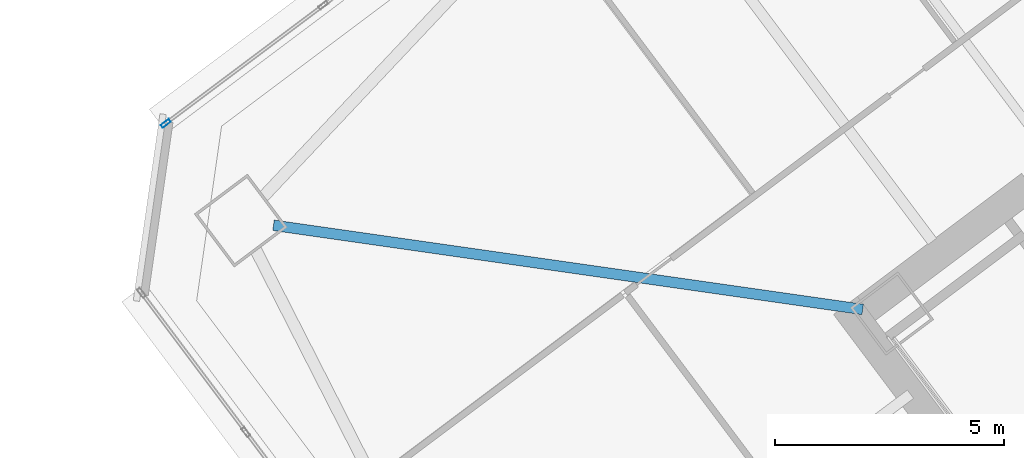
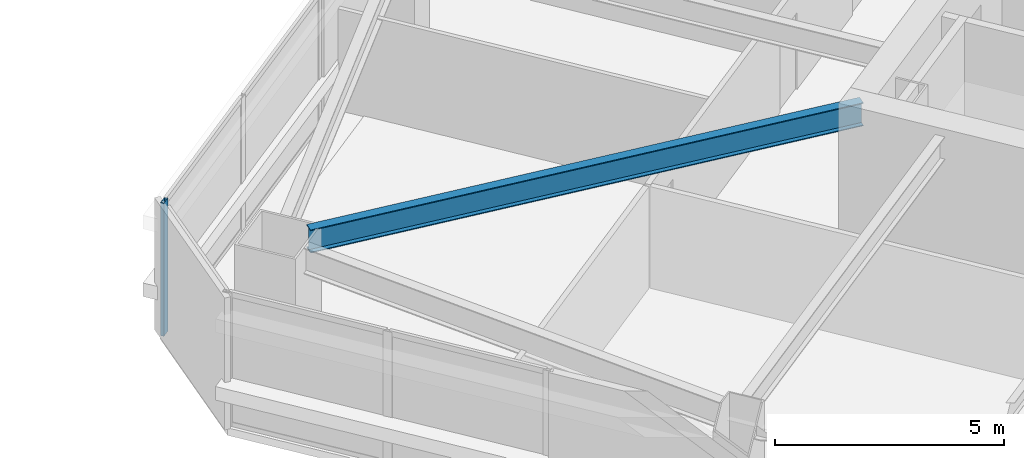
# One storey, part 20 of 44: 1 beam, 1 member, 1 element without a shape of its own.
"""IFC4 building model written with IfcOpenShell, lengths in metres."""

import ifcopenshell
import ifcopenshell.guid

model = None  # the IFC model being written
_history = None  # IfcOwnerHistory: only IFC2X3 demands one
_inside = {}  # id of a spatial element -> (the spatial element, [elements in it])
_under = {}  # id of a project, library or spatial element -> (it, [spatial elements below it])
_declared = {}  # id of a project -> (the project, [libraries it declares])
_typed = {}  # id of a type object -> (the type object, [elements of that type])
_made_of = {}  # id of a material, layer set ... -> (it, [elements and type objects made of it])


def new_model(schema):
    """Start an empty IFC model of exactly this schema.

    Asked for "IFC4X3", IfcOpenShell would pick the latest addendum, in which some entities
    have other attributes; the version numbers below select the first issue.
    IFC2X3 requires an IfcOwnerHistory on every rooted entity: one is made here for all.
    """
    global model, _history
    if schema == "IFC4X3":
        model = ifcopenshell.file(schema_version=(4, 3, 0, 0))
    else:
        model = ifcopenshell.file(schema=schema)
    _inside.clear()
    _under.clear()
    _declared.clear()
    _typed.clear()
    _made_of.clear()
    _history = None
    if model.schema == "IFC2X3":
        org = make("IfcOrganization", Name="unknown")
        user = make(
            "IfcPersonAndOrganization",
            ThePerson=make("IfcPerson", FamilyName="unknown"),
            TheOrganization=org,
        )
        app = make(
            "IfcApplication",
            ApplicationDeveloper=org,
            Version="unknown",
            ApplicationFullName="unknown",
            ApplicationIdentifier="unknown",
        )
        _history = make(
            "IfcOwnerHistory",
            OwningUser=user,
            OwningApplication=app,
            ChangeAction="ADDED",
            CreationDate=0,
        )
    return model


def make(cls, **values):
    """One entity of the class cls with the attributes given. An attribute that is None is left unset."""
    return model.create_entity(
        cls, **{name: value for name, value in values.items() if value is not None}
    )


def rooted(cls, **values):
    """An entity with a GlobalId (a new one), such as an element, a storey or a relation."""
    return make(cls, GlobalId=ifcopenshell.guid.new(), OwnerHistory=_history, **values)


def si_unit(unit_type, name, prefix=None):
    """IfcSIUnit, for example si_unit("LENGTHUNIT", "METRE", prefix="MILLI")."""
    return make("IfcSIUnit", UnitType=unit_type, Prefix=prefix, Name=name)


def assignment(units):
    """IfcUnitAssignment: the units of a project."""
    return None if units is None else make("IfcUnitAssignment", Units=units)


def point(xyz):
    """IfcCartesianPoint."""
    return None if xyz is None else make("IfcCartesianPoint", Coordinates=xyz)


def direction(xyz):
    """IfcDirection."""
    return None if xyz is None else make("IfcDirection", DirectionRatios=xyz)


def frame(location, z_axis=None, x_axis=None):
    """IfcAxis2Placement3D, a coordinate frame: its origin and axes. An axis left out is left unset."""
    return make(
        "IfcAxis2Placement3D",
        Location=point(location),
        Axis=direction(z_axis),
        RefDirection=direction(x_axis),
    )


def frame_2d(location, x_axis=None):
    """IfcAxis2Placement2D, a coordinate frame in the plane: its origin and x axis."""
    return make(
        "IfcAxis2Placement2D", Location=point(location), RefDirection=direction(x_axis)
    )


def origin():
    """The frame at (0, 0, 0) with its axes left unset."""
    return frame((0.0, 0.0, 0.0))


def origin_2d():
    """The frame at (0, 0) in the plane with its x axis left unset."""
    return frame_2d((0.0, 0.0))


def place(relative_to, where):
    """IfcLocalPlacement: puts the frame where relative to a parent placement (None: the world)."""
    return make(
        "IfcLocalPlacement", PlacementRelTo=relative_to, RelativePlacement=where
    )


def context(
    kind, dimensions, precision=None, world=None, true_north=None, identifier=None
):
    """IfcGeometricRepresentationContext, for example the 3D "Model" context."""
    return make(
        "IfcGeometricRepresentationContext",
        ContextIdentifier=identifier,
        ContextType=kind,
        CoordinateSpaceDimension=dimensions,
        Precision=precision,
        WorldCoordinateSystem=world,
        TrueNorth=true_north,
    )


def subcontext(parent, identifier, kind, view, scale=None):
    """IfcGeometricRepresentationSubContext, for example "Body" below "Model"."""
    return make(
        "IfcGeometricRepresentationSubContext",
        ContextIdentifier=identifier,
        ContextType=kind,
        ParentContext=parent,
        TargetScale=scale,
        TargetView=view,
    )


def project(units=None, contexts=None):
    """IfcProject with its units and contexts."""
    return rooted(
        "IfcProject",
        Name="project",
        RepresentationContexts=contexts,
        UnitsInContext=assignment(units),
    )


def spatial(cls, under=None, at=None, **own):
    """A site, building, storey or space (cls), placed at a placement, below another one or the project."""
    s = rooted(cls, ObjectPlacement=at, **own)
    if under is not None:
        _under.setdefault(under.id(), (under, []))[1].append(s)
    return s


def profile(cls, at=None, kind="AREA", **sizes):
    """A parametric profile (cls). Its sizes go by their IFC names, for example OverallWidth=200.0."""
    return make(cls, ProfileType=kind, Position=at, **sizes)


def hollow_rectangle(**sizes):
    """IfcRectangleHollowProfileDef."""
    return profile("IfcRectangleHollowProfileDef", **sizes)


def i_section(**sizes):
    """IfcIShapeProfileDef."""
    return profile("IfcIShapeProfileDef", **sizes)


def extrude(swept, where, along, depth):
    """IfcExtrudedAreaSolid: the profile swept, set in the frame where, extruded along a direction by depth."""
    return make(
        "IfcExtrudedAreaSolid",
        SweptArea=swept,
        Position=where,
        ExtrudedDirection=direction(along),
        Depth=depth,
    )


def shape(context_of_items, identifier, shape_type, items):
    """IfcShapeRepresentation: the items that make up one representation, for example the "Body"."""
    return make(
        "IfcShapeRepresentation",
        ContextOfItems=context_of_items,
        RepresentationIdentifier=identifier,
        RepresentationType=shape_type,
        Items=items,
    )


def material(Name=None, Category=None):
    """IfcMaterial."""
    return make("IfcMaterial", Name=Name, Category=Category)


def material_profile(
    of_material, cross_section, Name=None, Category=None, Priority=None
):
    """IfcMaterialProfile: a cross section and its material."""
    return make(
        "IfcMaterialProfile",
        Name=Name,
        Material=of_material,
        Profile=cross_section,
        Priority=Priority,
        Category=Category,
    )


def profile_set(profiles, Name=None, composite=None):
    """IfcMaterialProfileSet."""
    return make(
        "IfcMaterialProfileSet",
        Name=Name,
        MaterialProfiles=profiles,
        CompositeProfile=composite,
    )


def made_of(thing, what):
    """Note that an element or type object is made of a material, layer set ...; save() writes the relation."""
    if what is not None:
        _made_of.setdefault(what.id(), (what, []))[1].append(thing)
    return thing


def type_object(cls, material=None, **own):
    """A type object (cls), such as IfcWallType, which elements share."""
    return made_of(rooted(cls, **own), material)


def element(
    cls,
    number,
    at=None,
    inside=None,
    cuts=None,
    type_object=None,
    material=None,
    context=None,
    identifier="Body",
    shape_type=None,
    held_by="IfcProductDefinitionShape",
    body=None,
    shapes=None,
    **own,
):
    """One element of the class cls, such as IfcWall. Its Tag is "e" and its number.

    at: its placement. inside: the storey or other place that contains it. cuts: it is an
    opening in that element (IfcRelVoidsElement). A single representation is given by context,
    identifier, shape_type and body (its items); several are given by shapes. held_by: the class
    of the entity that holds the representations. save() writes the other relations.
    """
    e = rooted(cls, Tag="e%d" % number, ObjectPlacement=at, **own)
    if body is not None:
        shapes = [shape(context, identifier, shape_type, body)]
    if shapes is not None:
        e.Representation = make(held_by, Representations=shapes)
    if inside is not None:
        _inside.setdefault(inside.id(), (inside, []))[1].append(e)
    if cuts is not None:
        rooted(
            "IfcRelVoidsElement", RelatingBuildingElement=cuts, RelatedOpeningElement=e
        )
    if type_object is not None:
        _typed.setdefault(type_object.id(), (type_object, []))[1].append(e)
    return made_of(e, material)


def aggregate(whole, parts):
    """IfcRelAggregates: a whole, such as a stair, and the parts it consists of."""
    return rooted("IfcRelAggregates", RelatingObject=whole, RelatedObjects=parts)


def save(model, path):
    """Write the relations noted so far, then the file.

    IfcRelAggregates (storeys below a building ...), IfcRelContainedInSpatialStructure (elements
    in a storey), IfcRelDefinesByType, IfcRelAssociatesMaterial and IfcRelDeclares: one each for
    every whole, place, type object, material and project.
    """
    for whole, parts in _under.values():
        aggregate(whole, parts)
    for where, things in _inside.values():
        rooted(
            "IfcRelContainedInSpatialStructure",
            RelatedElements=things,
            RelatingStructure=where,
        )
    for kind, things in _typed.values():
        rooted("IfcRelDefinesByType", RelatedObjects=things, RelatingType=kind)
    for what, things in _made_of.values():
        rooted("IfcRelAssociatesMaterial", RelatedObjects=things, RelatingMaterial=what)
    for by, libraries in _declared.values():
        rooted("IfcRelDeclares", RelatingContext=by, RelatedDefinitions=libraries)
    model.write(path)


model = new_model("IFC4")

# Units and contexts
model_context = context("Model", 3, precision=1e-05, world=origin(), true_north=direction((0.0, 1.0)))
body_context = subcontext(model_context, "Body", "Model", "MODEL_VIEW")
ifc_project = project(units=[si_unit("LENGTHUNIT", "METRE"), si_unit("AREAUNIT", "SQUARE_METRE"), si_unit("VOLUMEUNIT", "CUBIC_METRE"), si_unit("PLANEANGLEUNIT", "RADIAN"), si_unit("MASSUNIT", "GRAM", prefix="KILO")], contexts=[model_context])

# Site, building, storey
site_placement = place(None, origin())
site = spatial("IfcSite", under=ifc_project, at=site_placement, CompositionType="ELEMENT")
building_placement = place(site_placement, origin())
building = spatial("IfcBuilding", under=site, at=building_placement, Name="Tashvorn Skyway Center", CompositionType="ELEMENT")
storey_placement = place(building_placement, frame((0.0, 0.0, 92.050048828125)))
storey = spatial("IfcBuildingStorey", under=building, at=storey_placement, Name="L24", CompositionType="ELEMENT", Elevation=92.050048828125)

# Beam
ifc_material_1 = material(Name="Steel ASTM A992 Grade 50", Category="steel")
ifc_material_profile_1 = material_profile(ifc_material_1, i_section(OverallWidth=0.22998046875, OverallDepth=0.616943359375, WebThickness=0.01318359375, FlangeThickness=0.022216796875, at=origin_2d()), Name="W24X94")
ifc_profile_set_1 = profile_set([ifc_material_profile_1], Name="Steel ASTM A992 Grade 50")
beam_type = type_object("IfcBeamType", Name="BM-BEAM-W24X94", PredefinedType="BEAM", material=ifc_profile_set_1)
beam_placement = place(storey_placement, frame((90.6328125, 35.338134765625, 3.04150390625), z_axis=(0.989949869571, -0.141418724841, 0.0), x_axis=(0.141418724841, 0.989949869571, 0.0)))
element("IfcBeam", 1, at=beam_placement, inside=storey, type_object=beam_type, Name="Tower 2 L24 Primary Floor Girder MC-NW", PredefinedType="BEAM", context=body_context, shape_type="SweptSolid", body=[
    extrude(i_section(OverallWidth=0.22998046875, OverallDepth=0.616943359375, WebThickness=0.01318359375, FlangeThickness=0.022216796875, at=origin_2d()), origin(), (0.0, 0.0, 1.0), 12.9892578125),
])

# Curtain wall, member
ifc_material_2 = material(Name="Thermally broken bronze-anodized aluminium 6063-T6", Category="aluminium")
curtain_wall_type = type_object("IfcCurtainWallType", Name="CW-CW-Z2", PredefinedType="NOTDEFINED", material=ifc_material_2)
curtain_wall_placement = place(storey_placement, origin())
curtain_wall = element("IfcCurtainWall", 2, at=curtain_wall_placement, inside=storey, type_object=curtain_wall_type, Name="Tower 2 L24 North Curtain Wall L Glazing Group 1", PredefinedType="NOTDEFINED")
ifc_material_profile_2 = material_profile(ifc_material_2, hollow_rectangle(XDim=0.080078125, YDim=0.219970703125, WallThickness=0.0048828125, at=origin_2d()), Name="ALU-MULL-80x220")
ifc_profile_set_2 = profile_set([ifc_material_profile_2], Name="Thermally broken bronze-anodized aluminium 6063-T6")
member_type = type_object("IfcMemberType", Name="CWM-CW-Z2", PredefinedType="MULLION", material=ifc_profile_set_2)
member_placement = place(storey_placement, frame((88.280029296875, 37.56005859375, 0.0), z_axis=(0.0, 0.0, 1.0), x_axis=(-0.600001841909, 0.799998618565, 0.0)))
member = element("IfcMember", 3, at=member_placement, type_object=member_type, Name="CW-Z2 mullion 1", PredefinedType="MULLION", context=body_context, shape_type="SweptSolid", body=[
    extrude(hollow_rectangle(XDim=0.080078125, YDim=0.219970703125, WallThickness=0.0048828125, at=origin_2d()), origin(), (0.0, 0.0, 1.0), 3.550048828125),
])
aggregate(curtain_wall, [member])

save(model, "model.ifc")
